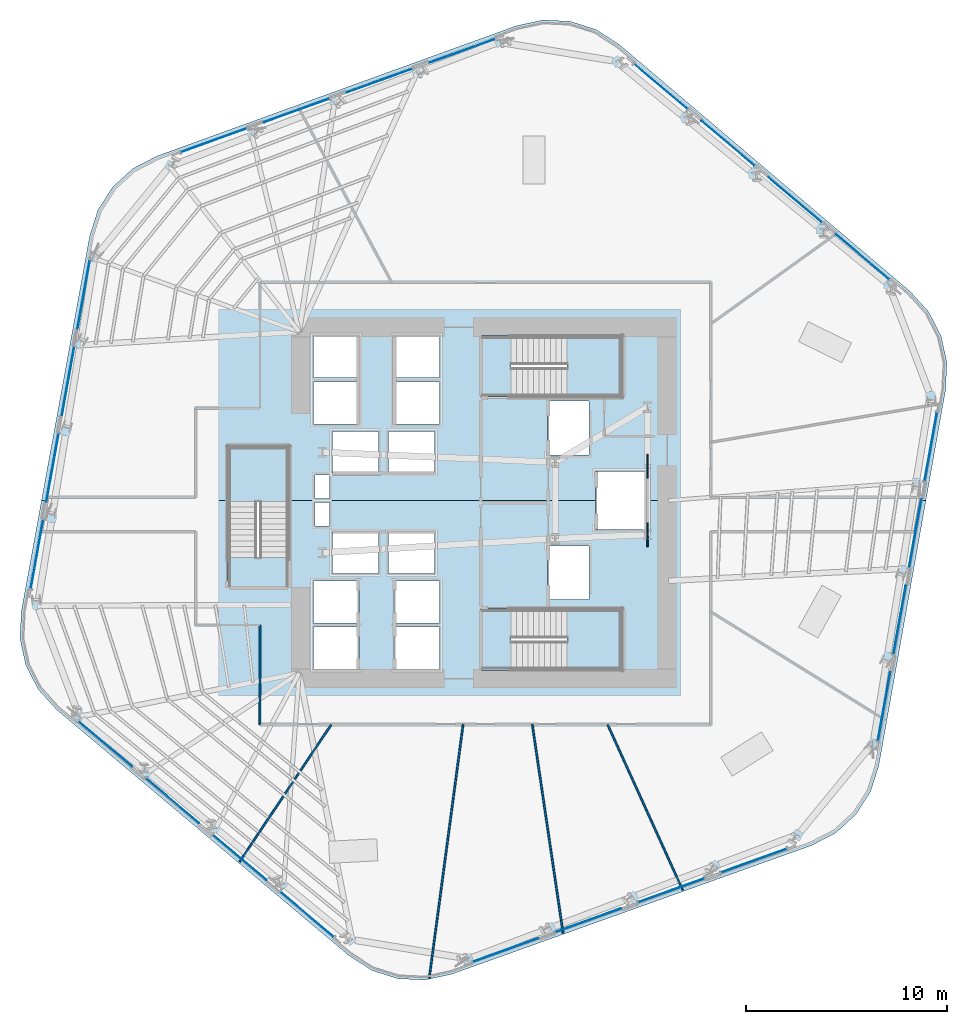
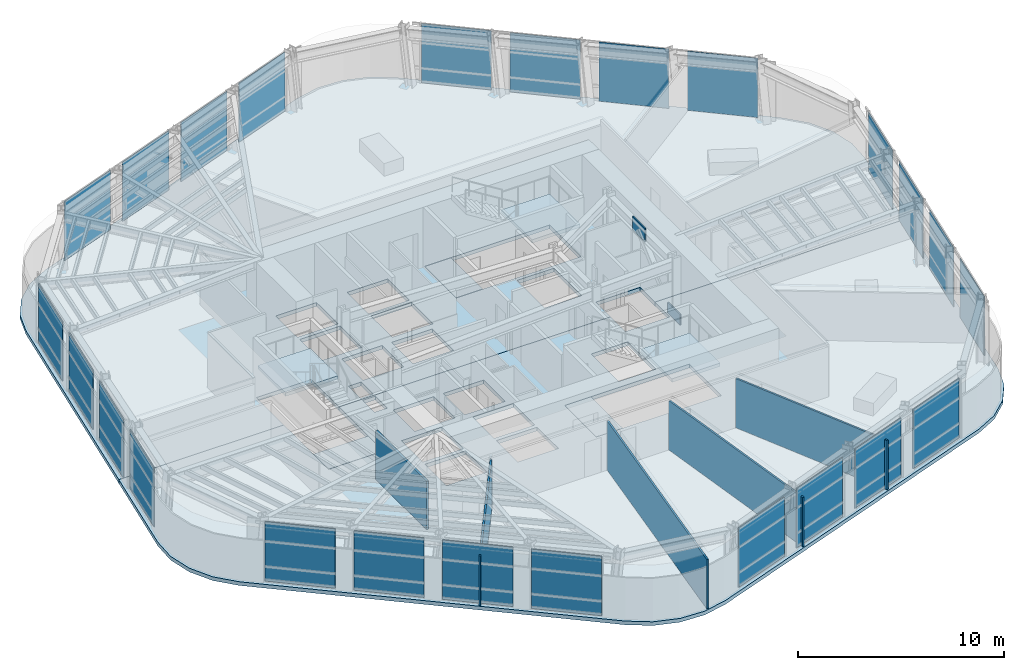
# One storey, part 8 of 18: 26 plates, 8 slabs, 5 walls, 9 elements without a shape of their own.
"""IFC4 building model written with IfcOpenShell, lengths in metres."""

from ifc_helpers import new_model, si_unit, direction, frame, frame_2d, origin, origin_2d, place, context, subcontext, project, spatial, polyline, rectangle, outline, extrude, material, layer, layer_set, type_object, element, aggregate, save


model = new_model("IFC4")

# Units and contexts
model_context = context("Model", 3, precision=1e-05, world=origin(), true_north=direction((0.0, 1.0)))
body_context = subcontext(model_context, "Body", "Model", "MODEL_VIEW")
ifc_project = project(units=[si_unit("LENGTHUNIT", "METRE"), si_unit("AREAUNIT", "SQUARE_METRE"), si_unit("VOLUMEUNIT", "CUBIC_METRE"), si_unit("PLANEANGLEUNIT", "RADIAN"), si_unit("MASSUNIT", "GRAM", prefix="KILO")], contexts=[model_context])

# Site, building, storey
site_placement = place(None, origin())
site = spatial("IfcSite", under=ifc_project, at=site_placement, CompositionType="ELEMENT")
building_placement = place(site_placement, origin())
building = spatial("IfcBuilding", under=site, at=building_placement, Name="Valkerne Bourse Tower", CompositionType="ELEMENT")
storey_placement = place(building_placement, frame((0.0, 0.0, 108.60009765625)))
storey = spatial("IfcBuildingStorey", under=building, at=storey_placement, Name="L27", CompositionType="ELEMENT", Elevation=108.60009765625)

# Curtain wall, plates
ifc_material_1 = material(Name="Aluminium AA 6063-T6", Category="aluminium")
ifc_layer_1 = layer(ifc_material_1, 0.22998046875)
ifc_layer_set_1 = layer_set([ifc_layer_1], Name="Aluminium AA 6063-T6")
curtain_wall_type = type_object("IfcCurtainWallType", Name="CW-02", PredefinedType="NOTDEFINED", material=ifc_layer_set_1)
curtain_wall_1_placement = place(storey_placement, origin())
curtain_wall_1 = element("IfcCurtainWall", 1, at=curtain_wall_1_placement, inside=storey, type_object=curtain_wall_type, Name="L27 Hexagonal Stick Curtain Wall Face 1", PredefinedType="NOTDEFINED")
ifc_material_2 = material(Name="Glass IGU Low-E Double Glazed", Category="glass")
ifc_layer_2 = layer(ifc_material_2, 0.031982421875)
ifc_layer_set_2 = layer_set([ifc_layer_2], Name="Glass IGU Low-E Double Glazed")
plate_type_1 = type_object("IfcPlateType", Name="CW-PNL-IGU-32", PredefinedType="CURTAIN_PANEL", material=ifc_layer_set_2)
plate_1_placement = place(storey_placement, frame((65.652099609375, 39.122802734375, 0.02978515625), z_axis=(0.0, 0.0, 1.0), x_axis=(-0.763797192334, 0.645456310669, 0.0)))
plate_1 = element("IfcPlate", 2, at=plate_1_placement, type_object=plate_type_1, Name="CW-L27-F1 Curtain Panel 00", PredefinedType="CURTAIN_PANEL", context=body_context, shape_type="SweptSolid", body=[
    extrude(rectangle(XDim=3.463134765625, YDim=0.031982421875, at=origin_2d()), origin(), (0.0, 0.0, 1.0), 3.52001953125),
])
plate_2_placement = place(storey_placement, frame((62.304443359375, 41.951904296875, 0.02978515625), z_axis=(0.0, 0.0, 1.0), x_axis=(-0.763798935079, 0.645454248396, 0.0)))
plate_2 = element("IfcPlate", 3, at=plate_2_placement, type_object=plate_type_1, Name="CW-L27-F1 Curtain Panel 01", PredefinedType="CURTAIN_PANEL", context=body_context, shape_type="SweptSolid", body=[
    extrude(rectangle(XDim=3.462890625, YDim=0.031982421875, at=origin_2d()), origin(), (0.0, 0.0, 1.0), 3.52001953125),
])
plate_3_placement = place(storey_placement, frame((58.956787109375, 44.781005859375, 0.02978515625), z_axis=(0.0, 0.0, 1.0), x_axis=(-0.763787687089, 0.645467558481, 0.0)))
plate_3 = element("IfcPlate", 4, at=plate_3_placement, type_object=plate_type_1, Name="CW-L27-F1 Curtain Panel 02", PredefinedType="CURTAIN_PANEL", context=body_context, shape_type="SweptSolid", body=[
    extrude(rectangle(XDim=3.463134765625, YDim=0.031982421875, at=origin_2d()), origin(), (0.0, 0.0, 1.0), 3.52001953125),
])
plate_4_placement = place(storey_placement, frame((55.609130859375, 47.610107421875, 0.02978515625), z_axis=(0.0, 0.0, 1.0), x_axis=(-0.763798935079, 0.645454248396, 0.0)))
plate_4 = element("IfcPlate", 5, at=plate_4_placement, type_object=plate_type_1, Name="CW-L27-F1 Curtain Panel 03", PredefinedType="CURTAIN_PANEL", context=body_context, shape_type="SweptSolid", body=[
    extrude(rectangle(XDim=3.462890625, YDim=0.031982421875, at=origin_2d()), origin(), (0.0, 0.0, 1.0), 3.52001953125),
])
aggregate(curtain_wall_1, [plate_1, plate_2, plate_3, plate_4])

curtain_wall_2_placement = place(storey_placement, origin())
curtain_wall_2 = element("IfcCurtainWall", 6, at=curtain_wall_2_placement, inside=storey, type_object=curtain_wall_type, Name="L27 Hexagonal Stick Curtain Wall Face 2", PredefinedType="NOTDEFINED")
plate_5_placement = place(storey_placement, frame((45.7275390625, 49.387939453125, 0.02978515625), z_axis=(0.0, 0.0, 1.0), x_axis=(-0.94088043135, -0.338738857977, 0.0)))
plate_5 = element("IfcPlate", 7, at=plate_5_placement, type_object=plate_type_1, Name="CW-L27-F2 Curtain Panel 00", PredefinedType="CURTAIN_PANEL", context=body_context, shape_type="SweptSolid", body=[
    extrude(rectangle(XDim=3.462890625, YDim=0.031982421875, at=origin_2d()), origin(), (0.0, 0.0, 1.0), 3.52001953125),
])
plate_6_placement = place(storey_placement, frame((41.603515625, 47.9033203125, 0.02978515625), z_axis=(0.0, 0.0, 1.0), x_axis=(-0.94088043135, -0.338738857977, 0.0)))
plate_6 = element("IfcPlate", 8, at=plate_6_placement, type_object=plate_type_1, Name="CW-L27-F2 Curtain Panel 01", PredefinedType="CURTAIN_PANEL", context=body_context, shape_type="SweptSolid", body=[
    extrude(rectangle(XDim=3.462890625, YDim=0.031982421875, at=origin_2d()), origin(), (0.0, 0.0, 1.0), 3.52001953125),
])
plate_7_placement = place(storey_placement, frame((37.479736328125, 46.41845703125, 0.02978515625), z_axis=(0.0, 0.0, 1.0), x_axis=(-0.94088043135, -0.338738857977, 0.0)))
plate_7 = element("IfcPlate", 9, at=plate_7_placement, type_object=plate_type_1, Name="CW-L27-F2 Curtain Panel 02", PredefinedType="CURTAIN_PANEL", context=body_context, shape_type="SweptSolid", body=[
    extrude(rectangle(XDim=3.462890625, YDim=0.031982421875, at=origin_2d()), origin(), (0.0, 0.0, 1.0), 3.52001953125),
])
plate_8_placement = place(storey_placement, frame((33.355712890625, 44.933837890625, 0.02978515625), z_axis=(0.0, 0.0, 1.0), x_axis=(-0.940887702719, -0.338718660355, 0.0)))
plate_8 = element("IfcPlate", 10, at=plate_8_placement, type_object=plate_type_1, Name="CW-L27-F2 Curtain Panel 03", PredefinedType="CURTAIN_PANEL", context=body_context, shape_type="SweptSolid", body=[
    extrude(rectangle(XDim=3.462890625, YDim=0.031982421875, at=origin_2d()), origin(), (0.0, 0.0, 1.0), 3.52001953125),
])
aggregate(curtain_wall_2, [plate_5, plate_6, plate_7, plate_8])

curtain_wall_3_placement = place(storey_placement, origin())
curtain_wall_3 = element("IfcCurtainWall", 11, at=curtain_wall_3_placement, inside=storey, type_object=curtain_wall_type, Name="L27 Hexagonal Stick Curtain Wall Face 3", PredefinedType="NOTDEFINED")
plate_9_placement = place(storey_placement, frame((26.875244140625, 37.26513671875, 0.02978515625), z_axis=(0.0, 0.0, 1.0), x_axis=(-0.177090236741, -0.984194618991, 0.0)))
plate_9 = element("IfcPlate", 12, at=plate_9_placement, type_object=plate_type_1, Name="CW-L27-F3 Curtain Panel 00", PredefinedType="CURTAIN_PANEL", context=body_context, shape_type="SweptSolid", body=[
    extrude(rectangle(XDim=3.462890625, YDim=0.031982421875, at=origin_2d()), origin(), (0.0, 0.0, 1.0), 3.52001953125),
])
plate_10_placement = place(storey_placement, frame((26.09912109375, 32.951416015625, 0.02978515625), z_axis=(0.0, 0.0, 1.0), x_axis=(-0.177072113159, -0.98419787987, 0.0)))
plate_10 = element("IfcPlate", 13, at=plate_10_placement, type_object=plate_type_1, Name="CW-L27-F3 Curtain Panel 01", PredefinedType="CURTAIN_PANEL", context=body_context, shape_type="SweptSolid", body=[
    extrude(rectangle(XDim=3.462890625, YDim=0.031982421875, at=origin_2d()), origin(), (0.0, 0.0, 1.0), 3.52001953125),
])
plate_11_placement = place(storey_placement, frame((25.322998046875, 28.6376953125, 0.02978515625), z_axis=(0.0, 0.0, 1.0), x_axis=(-0.177094213282, -0.984193903467, 0.0)))
plate_11 = element("IfcPlate", 14, at=plate_11_placement, type_object=plate_type_1, Name="CW-L27-F3 Curtain Panel 02", PredefinedType="CURTAIN_PANEL", context=body_context, shape_type="SweptSolid", body=[
    extrude(rectangle(XDim=3.462890625, YDim=0.031982421875, at=origin_2d()), origin(), (0.0, 0.0, 1.0), 3.52001953125),
])
plate_12_placement = place(storey_placement, frame((24.546630859375, 24.323974609375, 0.02978515625), z_axis=(0.0, 0.0, 1.0), x_axis=(-0.177094213282, -0.984193903467, 0.0)))
plate_12 = element("IfcPlate", 15, at=plate_12_placement, type_object=plate_type_1, Name="CW-L27-F3 Curtain Panel 03", PredefinedType="CURTAIN_PANEL", context=body_context, shape_type="SweptSolid", body=[
    extrude(rectangle(XDim=3.462890625, YDim=0.031982421875, at=origin_2d()), origin(), (0.0, 0.0, 1.0), 3.52001953125),
])
aggregate(curtain_wall_3, [plate_9, plate_10, plate_11, plate_12])

curtain_wall_4_placement = place(storey_placement, origin())
curtain_wall_4 = element("IfcCurtainWall", 16, at=curtain_wall_4_placement, inside=storey, type_object=curtain_wall_type, Name="L27 Hexagonal Stick Curtain Wall Face 4", PredefinedType="NOTDEFINED")
plate_13_placement = place(storey_placement, frame((27.94775390625, 14.877197265625, 0.02978515625), z_axis=(0.0, 0.0, 1.0), x_axis=(0.763797192334, -0.645456310669, 0.0)))
plate_13 = element("IfcPlate", 17, at=plate_13_placement, type_object=plate_type_1, Name="CW-L27-F4 Curtain Panel 00", PredefinedType="CURTAIN_PANEL", context=body_context, shape_type="SweptSolid", body=[
    extrude(rectangle(XDim=3.463134765625, YDim=0.031982421875, at=origin_2d()), origin(), (0.0, 0.0, 1.0), 3.52001953125),
])
plate_14_placement = place(storey_placement, frame((31.29541015625, 12.048095703125, 0.02978515625), z_axis=(0.0, 0.0, 1.0), x_axis=(0.763798935079, -0.645454248396, 0.0)))
plate_14 = element("IfcPlate", 18, at=plate_14_placement, type_object=plate_type_1, Name="CW-L27-F4 Curtain Panel 01", PredefinedType="CURTAIN_PANEL", context=body_context, shape_type="SweptSolid", body=[
    extrude(rectangle(XDim=3.462890625, YDim=0.031982421875, at=origin_2d()), origin(), (0.0, 0.0, 1.0), 3.52001953125),
])
plate_15_placement = place(storey_placement, frame((34.643310546875, 9.218994140625, 0.02978515625), z_axis=(0.0, 0.0, 1.0), x_axis=(0.763787687089, -0.645467558481, 0.0)))
plate_15 = element("IfcPlate", 19, at=plate_15_placement, type_object=plate_type_1, Name="CW-L27-F4 Curtain Panel 02", PredefinedType="CURTAIN_PANEL", context=body_context, shape_type="SweptSolid", body=[
    extrude(rectangle(XDim=3.463134765625, YDim=0.031982421875, at=origin_2d()), origin(), (0.0, 0.0, 1.0), 3.52001953125),
])
plate_16_placement = place(storey_placement, frame((37.990966796875, 6.389892578125, 0.02978515625), z_axis=(0.0, 0.0, 1.0), x_axis=(0.763798935079, -0.645454248396, 0.0)))
plate_16 = element("IfcPlate", 20, at=plate_16_placement, type_object=plate_type_1, Name="CW-L27-F4 Curtain Panel 03", PredefinedType="CURTAIN_PANEL", context=body_context, shape_type="SweptSolid", body=[
    extrude(rectangle(XDim=3.462890625, YDim=0.031982421875, at=origin_2d()), origin(), (0.0, 0.0, 1.0), 3.52001953125),
])
aggregate(curtain_wall_4, [plate_13, plate_14, plate_15, plate_16])

curtain_wall_5_placement = place(storey_placement, origin())
curtain_wall_5 = element("IfcCurtainWall", 21, at=curtain_wall_5_placement, inside=storey, type_object=curtain_wall_type, Name="L27 Hexagonal Stick Curtain Wall Face 5", PredefinedType="NOTDEFINED")
plate_17_placement = place(storey_placement, frame((47.87255859375, 4.612060546875, 0.02978515625), z_axis=(0.0, 0.0, 1.0), x_axis=(0.94088043135, 0.338738857977, 0.0)))
plate_17 = element("IfcPlate", 22, at=plate_17_placement, type_object=plate_type_1, Name="CW-L27-F5 Curtain Panel 00", PredefinedType="CURTAIN_PANEL", context=body_context, shape_type="SweptSolid", body=[
    extrude(rectangle(XDim=3.462890625, YDim=0.031982421875, at=origin_2d()), origin(), (0.0, 0.0, 1.0), 3.52001953125),
])
plate_18_placement = place(storey_placement, frame((51.996337890625, 6.0966796875, 0.02978515625), z_axis=(0.0, 0.0, 1.0), x_axis=(0.94088043135, 0.338738857977, 0.0)))
plate_18 = element("IfcPlate", 23, at=plate_18_placement, type_object=plate_type_1, Name="CW-L27-F5 Curtain Panel 01", PredefinedType="CURTAIN_PANEL", context=body_context, shape_type="SweptSolid", body=[
    extrude(rectangle(XDim=3.462890625, YDim=0.031982421875, at=origin_2d()), origin(), (0.0, 0.0, 1.0), 3.52001953125),
])
plate_19_placement = place(storey_placement, frame((56.120361328125, 7.58154296875, 0.02978515625), z_axis=(0.0, 0.0, 1.0), x_axis=(0.94088043135, 0.338738857977, 0.0)))
plate_19 = element("IfcPlate", 24, at=plate_19_placement, type_object=plate_type_1, Name="CW-L27-F5 Curtain Panel 02", PredefinedType="CURTAIN_PANEL", context=body_context, shape_type="SweptSolid", body=[
    extrude(rectangle(XDim=3.462890625, YDim=0.031982421875, at=origin_2d()), origin(), (0.0, 0.0, 1.0), 3.52001953125),
])
plate_20_placement = place(storey_placement, frame((60.244140625, 9.066162109375, 0.02978515625), z_axis=(0.0, 0.0, 1.0), x_axis=(0.940887702719, 0.338718660355, 0.0)))
plate_20 = element("IfcPlate", 25, at=plate_20_placement, type_object=plate_type_1, Name="CW-L27-F5 Curtain Panel 03", PredefinedType="CURTAIN_PANEL", context=body_context, shape_type="SweptSolid", body=[
    extrude(rectangle(XDim=3.462890625, YDim=0.031982421875, at=origin_2d()), origin(), (0.0, 0.0, 1.0), 3.52001953125),
])
aggregate(curtain_wall_5, [plate_17, plate_18, plate_19, plate_20])

curtain_wall_6_placement = place(storey_placement, origin())
curtain_wall_6 = element("IfcCurtainWall", 26, at=curtain_wall_6_placement, inside=storey, type_object=curtain_wall_type, Name="L27 Hexagonal Stick Curtain Wall Face 6", PredefinedType="NOTDEFINED")
plate_21_placement = place(storey_placement, frame((66.724853515625, 16.73486328125, 0.02978515625), z_axis=(0.0, 0.0, 1.0), x_axis=(0.177090236741, 0.984194618991, 0.0)))
plate_21 = element("IfcPlate", 27, at=plate_21_placement, type_object=plate_type_1, Name="CW-L27-F6 Curtain Panel 00", PredefinedType="CURTAIN_PANEL", context=body_context, shape_type="SweptSolid", body=[
    extrude(rectangle(XDim=3.462890625, YDim=0.031982421875, at=origin_2d()), origin(), (0.0, 0.0, 1.0), 3.52001953125),
])
plate_22_placement = place(storey_placement, frame((67.5009765625, 21.048583984375, 0.02978515625), z_axis=(0.0, 0.0, 1.0), x_axis=(0.177072113159, 0.98419787987, 0.0)))
plate_22 = element("IfcPlate", 28, at=plate_22_placement, type_object=plate_type_1, Name="CW-L27-F6 Curtain Panel 01", PredefinedType="CURTAIN_PANEL", context=body_context, shape_type="SweptSolid", body=[
    extrude(rectangle(XDim=3.462890625, YDim=0.031982421875, at=origin_2d()), origin(), (0.0, 0.0, 1.0), 3.52001953125),
])
plate_23_placement = place(storey_placement, frame((68.277099609375, 25.3623046875, 0.02978515625), z_axis=(0.0, 0.0, 1.0), x_axis=(0.177094213282, 0.984193903467, 0.0)))
plate_23 = element("IfcPlate", 29, at=plate_23_placement, type_object=plate_type_1, Name="CW-L27-F6 Curtain Panel 02", PredefinedType="CURTAIN_PANEL", context=body_context, shape_type="SweptSolid", body=[
    extrude(rectangle(XDim=3.462890625, YDim=0.031982421875, at=origin_2d()), origin(), (0.0, 0.0, 1.0), 3.52001953125),
])
plate_24_placement = place(storey_placement, frame((69.05322265625, 29.676025390625, 0.02978515625), z_axis=(0.0, 0.0, 1.0), x_axis=(0.177094213282, 0.984193903467, 0.0)))
plate_24 = element("IfcPlate", 30, at=plate_24_placement, type_object=plate_type_1, Name="CW-L27-F6 Curtain Panel 03", PredefinedType="CURTAIN_PANEL", context=body_context, shape_type="SweptSolid", body=[
    extrude(rectangle(XDim=3.462890625, YDim=0.031982421875, at=origin_2d()), origin(), (0.0, 0.0, 1.0), 3.52001953125),
])
aggregate(curtain_wall_6, [plate_21, plate_22, plate_23, plate_24])

# Plates
ifc_material_3 = material(Name="Steel ASTM A572 Grade 50", Category="steel")
ifc_layer_3 = layer(ifc_material_3, 0.06005859375)
ifc_layer_set_3 = layer_set([ifc_layer_3], Name="Steel ASTM A572 Grade 50")
plate_type_2 = type_object("IfcPlateType", Name="PLT-GUS-60", PredefinedType="SHEET", material=ifc_layer_set_3)
for number, where, z_axis, x_axis, name in (
    (31, (54.949951171875, 25.300048828125, -0.18017578125), (0.0, 0.0, 1.0), (0.0, 1.0, 0.0), "L27 Brace Node Gusset Plate PLT-GUS-END-L27-370"),
    (32, (54.949951171875, 28.699951171875, 2.8740234375), (0.0, 0.0, 1.0), (0.0, 1.0, 0.0), "L27 Brace Node Gusset Plate PLT-GUS-END-L27-371"),
):
    element("IfcPlate", number, at=place(storey_placement, frame(where, z_axis=z_axis, x_axis=x_axis)), inside=storey, type_object=plate_type_2, Name=name, PredefinedType="SHEET", context=body_context, shape_type="SweptSolid", body=[
        extrude(rectangle(XDim=1.199951171875, YDim=0.06005859375, at=origin_2d()), origin(), (0.0, 0.0, 1.0), 0.800048828125),
    ])

# Slabs
ifc_material_4 = material(Name="Concrete C40/50", Category="concrete")
ifc_layer_4 = layer(ifc_material_4, 0.25)
ifc_layer_set_4 = layer_set([ifc_layer_4], Name="Concrete C40/50")
slab_type_1 = type_object("IfcSlabType", Name="SLB-RMP-LND-250", PredefinedType="LANDING", material=ifc_layer_set_4)
slab_1_placement = place(storey_placement, frame((0.0, 0.0, -0.22021484375)))
element("IfcSlab", 33, at=slab_1_placement, inside=storey, type_object=slab_type_1, Name="L27 ST-1 Floor Landing Slab", PredefinedType="LANDING", context=body_context, shape_type="SweptSolid", body=[
    extrude(outline(polyline([(46.669921875, 18.5400390625), (48.14990234375, 18.5400390625), (48.14990234375, 21.610107421875), (46.669921875, 21.610107421875), (46.669921875, 18.5400390625)])), origin(), (0.0, 0.0, 1.0), 0.22021484375),
])
slab_2_placement = place(storey_placement, frame((0.0, 0.0, -0.22021484375)))
element("IfcSlab", 34, at=slab_2_placement, inside=storey, type_object=slab_type_1, Name="L27 ST-2 Floor Landing Slab", PredefinedType="LANDING", context=body_context, shape_type="SweptSolid", body=[
    extrude(outline(polyline([(46.669921875, 32.139892578125), (48.14990234375, 32.139892578125), (48.14990234375, 35.2099609375), (46.669921875, 35.2099609375), (46.669921875, 32.139892578125)])), origin(), (0.0, 0.0, 1.0), 0.22021484375),
])
slab_3_placement = place(storey_placement, frame((0.0, 0.0, -0.22021484375)))
element("IfcSlab", 35, at=slab_3_placement, inside=storey, type_object=slab_type_1, Name="L27 ST-3 Floor Landing Slab", PredefinedType="LANDING", context=body_context, shape_type="SweptSolid", body=[
    extrude(outline(polyline([(37.110107421875, 22.669921875), (37.110107421875, 24.14990234375), (34.0400390625, 24.14990234375), (34.0400390625, 22.669921875), (37.110107421875, 22.669921875)])), origin(), (0.0, 0.0, 1.0), 0.22021484375),
])

# Stair, slab
stair_type = type_object("IfcStairType", Name="ST-CORE-1400", PredefinedType="HALF_TURN_STAIR", material=ifc_material_4)
stair_1_placement = place(storey_placement, origin())
stair_1 = element("IfcStair", 36, at=stair_1_placement, inside=storey, type_object=stair_type, Name="L27 ST-1", PredefinedType="HALF_TURN_STAIR")
ifc_layer_5 = layer(ifc_material_4, 0.179931640625)
ifc_layer_set_5 = layer_set([ifc_layer_5], Name="Concrete C40/50")
slab_type_2 = type_object("IfcSlabType", Name="SLB-ST-LND-180", PredefinedType="LANDING", material=ifc_layer_set_5)
slab_4_placement = place(storey_placement, frame((0.0, 0.0, 1.699951171875)))
slab_4 = element("IfcSlab", 37, at=slab_4_placement, type_object=slab_type_2, Name="ST-1 landing 1", PredefinedType="LANDING", context=body_context, shape_type="SweptSolid", body=[
    extrude(outline(polyline([(50.949951171875, 18.60009765625), (53.64990234375, 18.60009765625), (53.64990234375, 21.550048828125), (50.949951171875, 21.550048828125), (50.949951171875, 18.60009765625)])), origin(), (0.0, 0.0, 1.0), 0.199951171875),
])
aggregate(stair_1, [slab_4])

stair_2_placement = place(storey_placement, origin())
stair_2 = element("IfcStair", 38, at=stair_2_placement, inside=storey, type_object=stair_type, Name="L27 ST-2", PredefinedType="HALF_TURN_STAIR")
slab_5_placement = place(storey_placement, frame((0.0, 0.0, 1.699951171875)))
slab_5 = element("IfcSlab", 39, at=slab_5_placement, type_object=slab_type_2, Name="ST-2 landing 1", PredefinedType="LANDING", context=body_context, shape_type="SweptSolid", body=[
    extrude(outline(polyline([(50.949951171875, 32.199951171875), (53.64990234375, 32.199951171875), (53.64990234375, 35.14990234375), (50.949951171875, 35.14990234375), (50.949951171875, 32.199951171875)])), origin(), (0.0, 0.0, 1.0), 0.199951171875),
])
aggregate(stair_2, [slab_5])

stair_3_placement = place(storey_placement, origin())
stair_3 = element("IfcStair", 40, at=stair_3_placement, inside=storey, type_object=stair_type, Name="L27 ST-3", PredefinedType="HALF_TURN_STAIR")
slab_6_placement = place(storey_placement, frame((0.0, 0.0, 1.699951171875)))
slab_6 = element("IfcSlab", 41, at=slab_6_placement, type_object=slab_type_2, Name="ST-3 landing 1", PredefinedType="LANDING", context=body_context, shape_type="SweptSolid", body=[
    extrude(outline(polyline([(37.050048828125, 26.949951171875), (37.050048828125, 29.64990234375), (34.10009765625, 29.64990234375), (34.10009765625, 26.949951171875), (37.050048828125, 26.949951171875)])), origin(), (0.0, 0.0, 1.0), 0.199951171875),
])
aggregate(stair_3, [slab_6])

# Slabs
ifc_layer_6 = layer(ifc_material_4, 0.219970703125)
ifc_layer_set_6 = layer_set([ifc_layer_6], Name="Concrete C40/50")
slab_type_3 = type_object("IfcSlabType", Name="SLB-TOW-220", PredefinedType="FLOOR", material=ifc_layer_set_6)
slab_7_placement = place(storey_placement, frame((0.0, 0.0, -0.22021484375)))
element("IfcSlab", 42, at=slab_7_placement, inside=storey, type_object=slab_type_3, Name="L27 Hexagonal Composite Floor Slab S", PredefinedType="FLOOR", context=body_context, shape_type="SweptSolid", body=[
    extrude(outline(polyline([(66.049560546875, 12.4951171875), (65.316162109375, 11.3525390625), (64.31201171875, 10.439208984375), (63.105712890625, 9.81640625), (45.197509765625, 3.412109375), (43.871337890625, 3.122802734375), (42.515380859375, 3.186767578125), (41.22216796875, 3.599609375), (40.079833984375, 4.3330078125), (25.527099609375, 16.577880859375), (24.613525390625, 17.58203125), (23.990966796875, 18.7880859375), (23.70166015625, 20.114501953125), (23.765625, 21.470458984375), (24.772705078125, 27.0), (34.034912109375, 27.0), (34.034912109375, 22.6650390625), (37.114990234375, 22.6650390625), (37.114990234375, 27.0), (52.360107421875, 27.0), (52.360107421875, 25.56005859375), (54.840087890625, 25.56005859375), (54.840087890625, 27.0), (68.810302734375, 27.0), (66.462158203125, 13.7880859375), (66.049560546875, 12.4951171875)]), holes=[polyline([(40.590087890625, 20.68994140625), (38.31005859375, 20.68994140625), (38.31005859375, 18.610107421875), (40.590087890625, 18.610107421875), (40.590087890625, 20.68994140625)]), polyline([(40.590087890625, 22.989990234375), (38.31005859375, 22.989990234375), (38.31005859375, 20.909912109375), (40.590087890625, 20.909912109375), (40.590087890625, 22.989990234375)]), polyline([(41.5400390625, 25.43994140625), (39.260009765625, 25.43994140625), (39.260009765625, 23.360107421875), (41.5400390625, 23.360107421875), (41.5400390625, 25.43994140625)]), polyline([(39.10009765625, 25.72998046875), (39.10009765625, 26.89990234375), (38.3798828125, 26.89990234375), (38.3798828125, 25.72998046875), (39.10009765625, 25.72998046875)]), polyline([(44.590087890625, 20.68994140625), (42.31005859375, 20.68994140625), (42.31005859375, 18.610107421875), (44.590087890625, 18.610107421875), (44.590087890625, 20.68994140625)]), polyline([(53.675048828125, 21.614990234375), (46.6650390625, 21.614990234375), (46.6650390625, 18.534912109375), (53.675048828125, 18.534912109375), (53.675048828125, 21.614990234375)]), polyline([(44.590087890625, 22.989990234375), (42.31005859375, 22.989990234375), (42.31005859375, 20.909912109375), (44.590087890625, 20.909912109375), (44.590087890625, 22.989990234375)]), polyline([(52.0400390625, 22.06005859375), (52.0400390625, 24.739990234375), (49.9599609375, 24.739990234375), (49.9599609375, 22.06005859375), (52.0400390625, 22.06005859375)]), polyline([(44.340087890625, 23.360107421875), (44.340087890625, 25.43994140625), (42.06005859375, 25.43994140625), (42.06005859375, 23.360107421875), (44.340087890625, 23.360107421875)])]), origin(), (0.0, 0.0, 1.0), 0.22021484375),
])
slab_8_placement = place(storey_placement, frame((0.0, 0.0, -0.22021484375)))
element("IfcSlab", 43, at=slab_8_placement, inside=storey, type_object=slab_type_3, Name="L27 Hexagonal Composite Floor Slab N", PredefinedType="FLOOR", context=body_context, shape_type="SweptSolid", body=[
    extrude(outline(polyline([(27.173583984375, 40.181640625), (27.586181640625, 41.474853515625), (28.319580078125, 42.6171875), (29.323486328125, 43.53076171875), (30.52978515625, 44.1533203125), (48.41064453125, 50.6337890625), (49.737060546875, 50.923095703125), (51.093017578125, 50.859130859375), (52.385986328125, 50.4462890625), (53.528564453125, 49.712890625), (68.02880859375, 37.40625), (68.9423828125, 36.402099609375), (69.565185546875, 35.196044921875), (69.854248046875, 33.86962890625), (69.790283203125, 32.513671875), (68.810302734375, 27.0), (54.840087890625, 27.0), (54.840087890625, 28.43994140625), (52.360107421875, 28.43994140625), (52.360107421875, 27.0), (37.114990234375, 27.0), (37.114990234375, 29.675048828125), (34.034912109375, 29.675048828125), (34.034912109375, 27.0), (24.772705078125, 27.0), (27.173583984375, 40.181640625)]), holes=[polyline([(39.10009765625, 28.27001953125), (38.3798828125, 28.27001953125), (38.3798828125, 27.10009765625), (39.10009765625, 27.10009765625), (39.10009765625, 28.27001953125)]), polyline([(41.5400390625, 30.43994140625), (39.260009765625, 30.43994140625), (39.260009765625, 28.360107421875), (41.5400390625, 28.360107421875), (41.5400390625, 30.43994140625)]), polyline([(44.340087890625, 30.43994140625), (42.06005859375, 30.43994140625), (42.06005859375, 28.360107421875), (44.340087890625, 28.360107421875), (44.340087890625, 30.43994140625)]), polyline([(40.590087890625, 30.81005859375), (40.590087890625, 32.889892578125), (38.31005859375, 32.889892578125), (38.31005859375, 30.81005859375), (40.590087890625, 30.81005859375)]), polyline([(40.590087890625, 33.110107421875), (40.590087890625, 35.18994140625), (38.31005859375, 35.18994140625), (38.31005859375, 33.110107421875), (40.590087890625, 33.110107421875)]), polyline([(52.0400390625, 31.93994140625), (49.9599609375, 31.93994140625), (49.9599609375, 29.260009765625), (52.0400390625, 29.260009765625), (52.0400390625, 31.93994140625)]), polyline([(44.590087890625, 32.889892578125), (42.31005859375, 32.889892578125), (42.31005859375, 30.81005859375), (44.590087890625, 30.81005859375), (44.590087890625, 32.889892578125)]), polyline([(53.675048828125, 32.135009765625), (53.675048828125, 35.215087890625), (46.6650390625, 35.215087890625), (46.6650390625, 32.135009765625), (53.675048828125, 32.135009765625)]), polyline([(44.590087890625, 33.110107421875), (44.590087890625, 35.18994140625), (42.31005859375, 35.18994140625), (42.31005859375, 33.110107421875), (44.590087890625, 33.110107421875)])]), origin(), (0.0, 0.0, 1.0), 0.22021484375),
])

# Walls
ifc_material_5 = material(Name="Gypsum Board Steel-Stud Partition", Category="steel")
ifc_layer_7 = layer(ifc_material_5, 0.117919921875)
ifc_layer_set_7 = layer_set([ifc_layer_7], Name="Gypsum Board Steel-Stud Partition")
wall_type_1 = type_object("IfcWallType", Name="W-CORR-140", PredefinedType="PARTITIONING", material=ifc_layer_set_7)
wall_1_placement = place(storey_placement, frame((35.64990234375, 15.85009765625, 0.0), z_axis=(0.0, 0.0, 1.0), x_axis=(0.0, 1.0, 0.0)))
element("IfcWall", 44, at=wall_1_placement, inside=storey, type_object=wall_type_1, Name="L27 Corridor Enclosure Wall", PredefinedType="PARTITIONING", context=body_context, shape_type="SweptSolid", body=[
    extrude(rectangle(XDim=4.949951171875, YDim=0.117919921875, at=frame_2d((2.47509765625, 0.0))), origin(), (0.0, 0.0, 1.0), 2.87646484375),
])
ifc_layer_8 = layer(ifc_material_5, 0.092041015625)
ifc_layer_set_8 = layer_set([ifc_layer_8], Name="Gypsum Board Steel-Stud Partition")
wall_type_2 = type_object("IfcWallType", Name="W-PART-115", PredefinedType="PARTITIONING", material=ifc_layer_set_8)
wall_2_placement = place(storey_placement, frame((45.764892578125, 15.844970703125, 0.0), z_axis=(0.0, 0.0, 1.0), x_axis=(-0.132265585913, -0.991214313246, 0.0)))
element("IfcWall", 45, at=wall_2_placement, inside=storey, type_object=wall_type_2, Name="L27 Suite Partition P01", PredefinedType="PARTITIONING", context=body_context, shape_type="SweptSolid", body=[
    extrude(rectangle(XDim=12.716064453125, YDim=0.092041015625, at=frame_2d((6.35791015625, 0.0))), origin(), (0.0, 0.0, 1.0), 2.92236328125),
])
wall_3_placement = place(storey_placement, frame((49.209716796875, 15.844970703125, 0.0), z_axis=(0.0, 0.0, 1.0), x_axis=(0.146066938003, -0.989274708876, 0.0)))
element("IfcWall", 46, at=wall_3_placement, inside=storey, type_object=wall_type_2, Name="L27 Suite Partition P02", PredefinedType="PARTITIONING", context=body_context, shape_type="SweptSolid", body=[
    extrude(rectangle(XDim=10.48828125, YDim=0.092041015625, at=frame_2d((5.244140625, 0.0))), origin(), (0.0, 0.0, 1.0), 2.92236328125),
])
wall_4_placement = place(storey_placement, frame((52.958984375, 15.844970703125, 0.0), z_axis=(0.0, 0.0, 1.0), x_axis=(0.413124282401, -0.910674655017, 0.0)))
element("IfcWall", 47, at=wall_4_placement, inside=storey, type_object=wall_type_2, Name="L27 Suite Partition P03", PredefinedType="PARTITIONING", context=body_context, shape_type="SweptSolid", body=[
    extrude(rectangle(XDim=9.05419921875, YDim=0.092041015625, at=frame_2d((4.527099609375, 0.0))), origin(), (0.0, 0.0, 1.0), 2.92236328125),
])
wall_5_placement = place(storey_placement, frame((39.20458984375, 15.844970703125, 0.0), z_axis=(0.0, 0.0, 1.0), x_axis=(-0.555905204706, -0.831245693752, 0.0)))
element("IfcWall", 48, at=wall_5_placement, inside=storey, type_object=wall_type_2, Name="L27 Suite Partition P08", PredefinedType="PARTITIONING", context=body_context, shape_type="SweptSolid", body=[
    extrude(rectangle(XDim=8.224853515625, YDim=0.092041015625, at=frame_2d((4.1123046875, 0.0))), origin(), (0.0, 0.0, 1.0), 2.92236328125),
])

save(model, "model.ifc")
